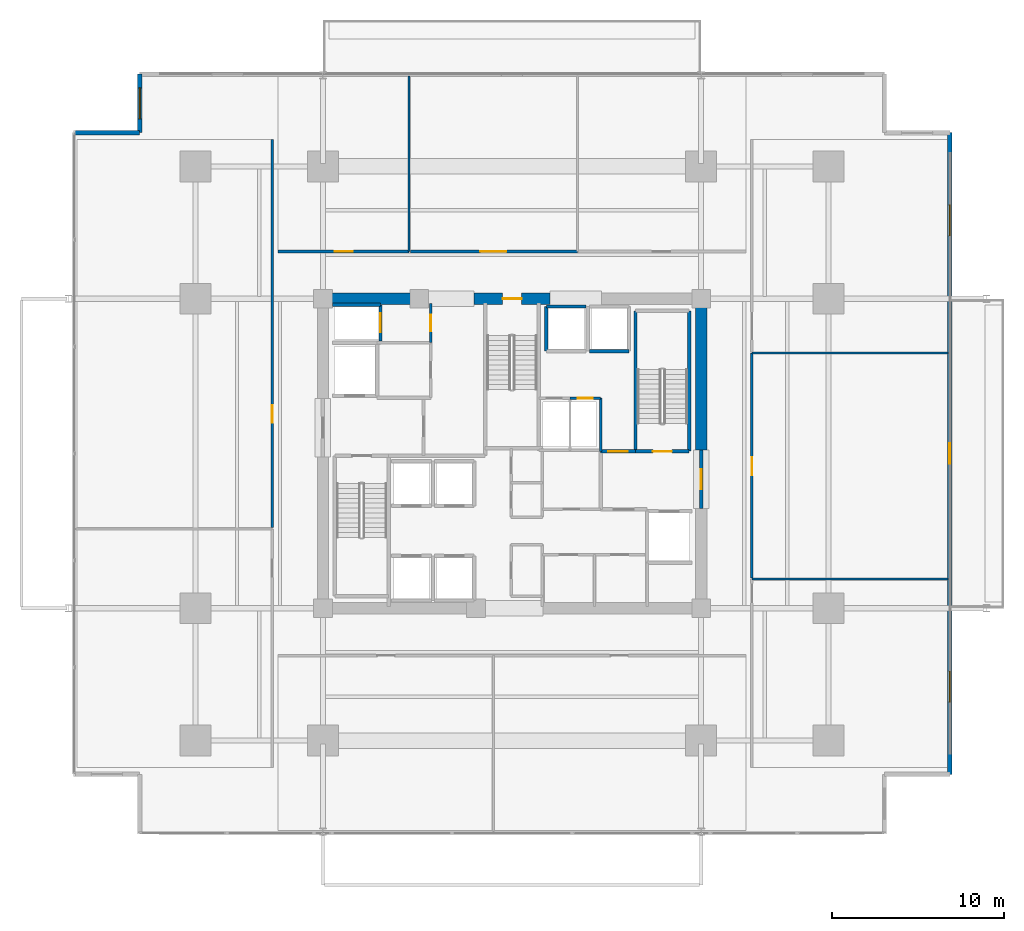
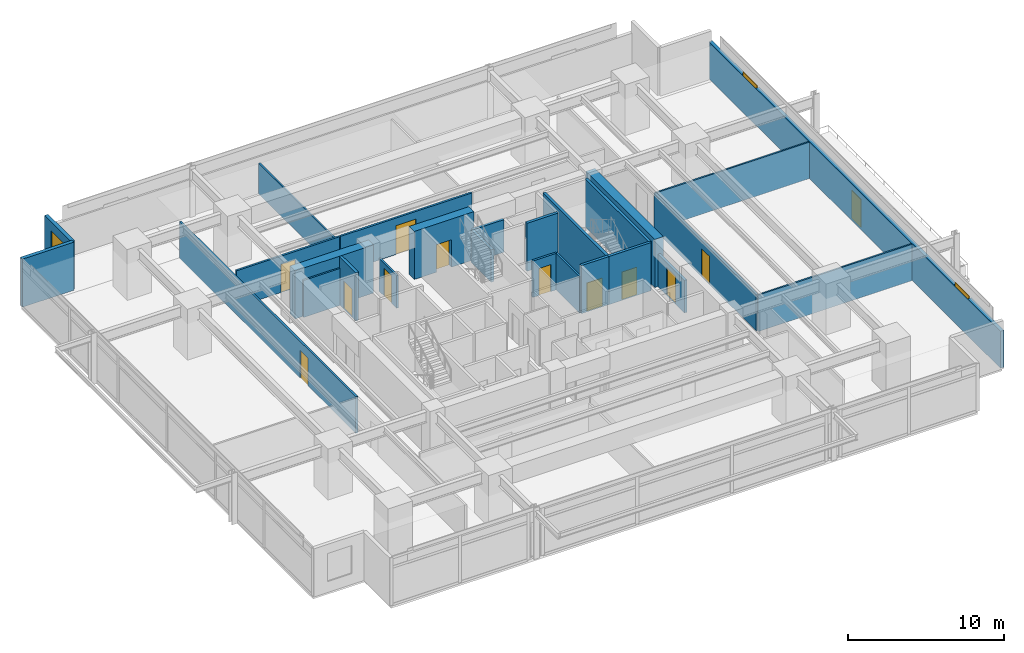
# One storey, part 16 of 21: 26 walls, 12 doors, 3 windows, 15 openings.
"""IFC4 building model written with IfcOpenShell, lengths in metres."""

from ifc_helpers import new_model, si_unit, direction, frame, frame_2d, origin, place, context, subcontext, project, spatial, rectangle, extrude, material, layer, layer_set, type_object, element, fill, save


model = new_model("IFC4")

# Units and contexts
model_context = context("Model", 3, precision=1e-05, world=origin(), true_north=direction((0.0, 1.0)))
body_context = subcontext(model_context, "Body", "Model", "MODEL_VIEW")
ifc_project = project(units=[si_unit("LENGTHUNIT", "METRE"), si_unit("AREAUNIT", "SQUARE_METRE"), si_unit("VOLUMEUNIT", "CUBIC_METRE"), si_unit("PLANEANGLEUNIT", "RADIAN"), si_unit("MASSUNIT", "GRAM", prefix="KILO")], contexts=[model_context])

# Site, building, storey
site_placement = place(None, origin())
site = spatial("IfcSite", under=ifc_project, at=site_placement, CompositionType="ELEMENT")
building_placement = place(site_placement, origin())
building = spatial("IfcBuilding", under=site, at=building_placement, Name="Kovane Verandah Tower", CompositionType="ELEMENT")
storey_placement = place(building_placement, frame((0.0, 0.0, 47.60009765625)))
storey = spatial("IfcBuildingStorey", under=building, at=storey_placement, Name="L10", CompositionType="ELEMENT", Elevation=47.60009765625)

# Wall, opening, door
ifc_material_1 = material(Name="Fire-Rated Gypsum Stud Partition", Category="gypsum")
ifc_layer_1 = layer(ifc_material_1, 0.14990234375)
ifc_layer_set_1 = layer_set([ifc_layer_1], Name="Fire-Rated Gypsum Stud Partition")
wall_type_1 = type_object("IfcWallType", Name="WL-COR-150", PredefinedType="PARTITIONING", material=ifc_layer_set_1)
wall_1_placement = place(storey_placement, frame((35.280029296875, 33.949951171875, 0.0), z_axis=(0.0, 0.0, 1.0), x_axis=(0.0, 1.0, 0.0)))
wall_1 = element("IfcWall", 1, at=wall_1_placement, inside=storey, type_object=wall_type_1, Name="L10 Goods Lift Lobby East Fire Partition", PredefinedType="PARTITIONING", context=body_context, shape_type="SweptSolid", body=[
    extrude(rectangle(XDim=2.27001953125, YDim=0.14990234375, at=frame_2d((1.135009765625, 0.0))), origin(), (0.0, 0.0, 1.0), 2.539794921875),
])
opening_1_placement = place(wall_1_placement, frame((0.659912109375, 0.0, 0.0)))
opening_1 = element("IfcOpeningElement", 2, at=opening_1_placement, cuts=wall_1, Name="Opening DR-L10-008", PredefinedType="OPENING", context=body_context, shape_type="SweptSolid", body=[
    extrude(rectangle(XDim=0.949951171875, YDim=2.14990234375, at=frame_2d((0.47509765625, 1.074951171875))), frame((0.0, 0.074951171875, 0.0), z_axis=(0.0, -1.0, 0.0), x_axis=(1.0, 0.0, 0.0)), (0.0, 0.0, 1.0), 0.14990234375),
])
ifc_material_2 = material(Name="Fire-Rated Steel Refuge and Lobby Door", Category="steel")
door_type_1 = type_object("IfcDoorType", Name="DR-FIRE-950", OperationType="SINGLE_SWING_LEFT", PredefinedType="DOOR", material=ifc_material_2)
door_1_placement = place(opening_1_placement, origin())
door_1 = element("IfcDoor", 3, at=door_1_placement, inside=storey, type_object=door_type_1, Name="L10 Goods Lift Lobby Fire Door", OperationType="SINGLE_SWING_LEFT", OverallHeight=2.14990234375, OverallWidth=0.949951171875, PredefinedType="DOOR", context=body_context, shape_type="SweptSolid", body=[
    extrude(rectangle(XDim=0.949951171875, YDim=2.14990234375, at=frame_2d((0.47509765625, 1.074951171875))), frame((0.0, 0.02490234375, 0.0), z_axis=(0.0, -1.0, 0.0), x_axis=(1.0, 0.0, 0.0)), (0.0, 0.0, 1.0), 0.050048828125),
])
fill(opening_1, door_1)

# Wall
wall_2_placement = place(storey_placement, frame((45.14990234375, 27.6201171875, 0.0), z_axis=(0.0, 0.0, 1.0), x_axis=(0.0, 1.0, 0.0)))
element("IfcWall", 4, at=wall_2_placement, inside=storey, type_object=wall_type_1, Name="L10 East Core Service Riser East Wall", PredefinedType="PARTITIONING", context=body_context, shape_type="SweptSolid", body=[
    extrude(rectangle(XDim=3.099853515625, YDim=0.14990234375, at=frame_2d((1.5498046875, 0.0))), origin(), (0.0, 0.0, 1.0), 2.849853515625),
])

# Wall, opening, door
wall_3_placement = place(storey_placement, frame((43.360107421875, 30.719970703125, 0.0), z_axis=(0.0, 0.0, 1.0), x_axis=(1.0, 0.0, 0.0)))
wall_3 = element("IfcWall", 5, at=wall_3_placement, inside=storey, type_object=wall_type_1, Name="L10 Smoke Extract Duct Room Partition", PredefinedType="PARTITIONING", context=body_context, shape_type="SweptSolid", body=[
    extrude(rectangle(XDim=1.789794921875, YDim=0.14990234375, at=frame_2d((0.89501953125, 0.0))), origin(), (0.0, 0.0, 1.0), 2.849853515625),
])
opening_2_placement = place(wall_3_placement, frame((0.455078125, 0.0, 0.0)))
opening_2 = element("IfcOpeningElement", 6, at=opening_2_placement, cuts=wall_3, Name="Opening DR-L10-019", PredefinedType="OPENING", context=body_context, shape_type="SweptSolid", body=[
    extrude(rectangle(XDim=0.8798828125, YDim=2.10009765625, at=frame_2d((0.43994140625, 1.050048828125))), frame((0.0, 0.074951171875, 0.0), z_axis=(0.0, -1.0, 0.0), x_axis=(1.0, 0.0, 0.0)), (0.0, 0.0, 1.0), 0.14990234375),
])
ifc_material_3 = material(Name="Fire-Rated Steel Riser Access Door", Category="steel")
door_type_2 = type_object("IfcDoorType", Name="DR-RISER-880", OperationType="SINGLE_SWING_LEFT", PredefinedType="DOOR", material=ifc_material_3)
door_2_placement = place(opening_2_placement, origin())
door_2 = element("IfcDoor", 7, at=door_2_placement, inside=storey, type_object=door_type_2, Name="L10 Smoke Extract Duct Room Door", OperationType="SINGLE_SWING_LEFT", OverallHeight=2.10009765625, OverallWidth=0.8798828125, PredefinedType="DOOR", context=body_context, shape_type="SweptSolid", body=[
    extrude(rectangle(XDim=0.8798828125, YDim=2.10009765625, at=frame_2d((0.43994140625, 1.050048828125))), frame((0.0, 0.02490234375, 0.0), z_axis=(0.0, -1.0, 0.0), x_axis=(1.0, 0.0, 0.0)), (0.0, 0.0, 1.0), 0.050048828125),
])
fill(opening_2, door_2)

wall_4_placement = place(storey_placement, frame((26.39990234375, 39.25, 0.0), z_axis=(0.0, 0.0, 1.0), x_axis=(1.0, 0.0, 0.0)))
wall_4 = element("IfcWall", 8, at=wall_4_placement, inside=storey, type_object=wall_type_1, Name="L10 Executive Office N1 Corridor Partition", PredefinedType="PARTITIONING", context=body_context, shape_type="SweptSolid", body=[
    extrude(rectangle(XDim=7.6162109375, YDim=0.14990234375, at=frame_2d((3.80810546875, 0.0))), origin(), (0.0, 0.0, 1.0), 2.849853515625),
])
opening_3_placement = place(wall_4_placement, frame((3.298095703125, 0.0, 0.0)))
opening_3 = element("IfcOpeningElement", 9, at=opening_3_placement, cuts=wall_4, Name="Opening DR-L10-020", PredefinedType="OPENING", context=body_context, shape_type="SweptSolid", body=[
    extrude(rectangle(XDim=1.050048828125, YDim=2.199951171875, at=frame_2d((0.52490234375, 1.10009765625))), frame((0.0, 0.074951171875, 0.0), z_axis=(0.0, -1.0, 0.0), x_axis=(1.0, 0.0, 0.0)), (0.0, 0.0, 1.0), 0.14990234375),
])
ifc_material_4 = material(Name="FSC Blackbutt Timber Fire-Rated Executive Door", Category="wood")
door_type_3 = type_object("IfcDoorType", Name="DR-EXEC-1050", OperationType="SINGLE_SWING_LEFT", PredefinedType="DOOR", material=ifc_material_4)
door_3_placement = place(opening_3_placement, origin())
door_3 = element("IfcDoor", 10, at=door_3_placement, inside=storey, type_object=door_type_3, Name="L10 Executive Office N1 Entrance Door", OperationType="SINGLE_SWING_RIGHT", OverallHeight=2.199951171875, OverallWidth=1.050048828125, PredefinedType="DOOR", context=body_context, shape_type="SweptSolid", body=[
    extrude(rectangle(XDim=1.050048828125, YDim=2.199951171875, at=frame_2d((0.52490234375, 1.10009765625))), frame((0.0, 0.02490234375, 0.0), z_axis=(0.0, -1.0, 0.0), x_axis=(1.0, 0.0, 0.0)), (0.0, 0.0, 1.0), 0.050048828125),
])
fill(opening_3, door_3)

wall_5_placement = place(storey_placement, frame((34.0859375, 39.25, 0.0), z_axis=(0.0, 0.0, 1.0), x_axis=(1.0, 0.0, 0.0)))
wall_5 = element("IfcWall", 11, at=wall_5_placement, inside=storey, type_object=wall_type_1, Name="L10 Client Boardroom N2 Corridor Partition", PredefinedType="PARTITIONING", context=body_context, shape_type="SweptSolid", body=[
    extrude(rectangle(XDim=9.72216796875, YDim=0.14990234375, at=frame_2d((4.861083984375, 0.0))), origin(), (0.0, 0.0, 1.0), 2.849853515625),
])
opening_4_placement = place(wall_5_placement, frame((4.075927734375, 0.0, 0.0)))
opening_4 = element("IfcOpeningElement", 12, at=opening_4_placement, cuts=wall_5, Name="Opening DR-L10-021", PredefinedType="OPENING", context=body_context, shape_type="SweptSolid", body=[
    extrude(rectangle(XDim=1.5, YDim=2.25, at=frame_2d((0.75, 1.125))), frame((0.0, 0.074951171875, 0.0), z_axis=(0.0, -1.0, 0.0), x_axis=(1.0, 0.0, 0.0)), (0.0, 0.0, 1.0), 0.14990234375),
])
ifc_material_5 = material(Name="Glazed Timber Fire-Rated Double Door", Category="wood")
door_type_4 = type_object("IfcDoorType", Name="DR-CONF-1500", OperationType="DOUBLE_DOOR_SINGLE_SWING", PredefinedType="DOOR", material=ifc_material_5)
door_4_placement = place(opening_4_placement, origin())
door_4 = element("IfcDoor", 13, at=door_4_placement, inside=storey, type_object=door_type_4, Name="L10 Client Boardroom N2 Entrance Door", OperationType="DOUBLE_DOOR_SINGLE_SWING", OverallHeight=2.25, OverallWidth=1.5, PredefinedType="DOOR", context=body_context, shape_type="SweptSolid", body=[
    extrude(rectangle(XDim=1.5, YDim=2.25, at=frame_2d((0.75, 1.125))), frame((0.0, 0.02490234375, 0.0), z_axis=(0.0, -1.0, 0.0), x_axis=(1.0, 0.0, 0.0)), (0.0, 0.0, 1.0), 0.050048828125),
])
fill(opening_4, door_4)

wall_6_placement = place(storey_placement, frame((26.050048828125, 23.187255859375, 0.0), z_axis=(0.0, 0.0, 1.0), x_axis=(0.0, 1.0, 0.0)))
wall_6 = element("IfcWall", 14, at=wall_6_placement, inside=storey, type_object=wall_type_1, Name="L10 Document and Print Room W2 Corridor Partition", PredefinedType="PARTITIONING", context=body_context, shape_type="SweptSolid", body=[
    extrude(rectangle(XDim=22.573974609375, YDim=0.14990234375, at=frame_2d((11.287109375, 0.0))), origin(), (0.0, 0.0, 1.0), 2.849853515625),
])
opening_5_placement = place(wall_6_placement, frame((6.106201171875, 0.0, 0.0)))
opening_5 = element("IfcOpeningElement", 15, at=opening_5_placement, cuts=wall_6, Name="Opening DR-L10-030", PredefinedType="OPENING", context=body_context, shape_type="SweptSolid", body=[
    extrude(rectangle(XDim=1.0, YDim=2.14990234375, at=frame_2d((0.5, 1.074951171875))), frame((0.0, 0.074951171875, 0.0), z_axis=(0.0, -1.0, 0.0), x_axis=(1.0, 0.0, 0.0)), (0.0, 0.0, 1.0), 0.14990234375),
])
ifc_material_6 = material(Name="FSC Spotted-Gum Timber Fire-Rated Office Door", Category="wood")
door_type_5 = type_object("IfcDoorType", Name="DR-OFF-1000", OperationType="SINGLE_SWING_LEFT", PredefinedType="DOOR", material=ifc_material_6)
door_5_placement = place(opening_5_placement, origin())
door_5 = element("IfcDoor", 16, at=door_5_placement, inside=storey, type_object=door_type_5, Name="L10 Document and Print Room W2 Entrance Door", OperationType="SINGLE_SWING_RIGHT", OverallHeight=2.14990234375, OverallWidth=1.0, PredefinedType="DOOR", context=body_context, shape_type="SweptSolid", body=[
    extrude(rectangle(XDim=1.0, YDim=2.14990234375, at=frame_2d((0.5, 1.074951171875))), frame((0.0, 0.02490234375, 0.0), z_axis=(0.0, -1.0, 0.0), x_axis=(1.0, 0.0, 0.0)), (0.0, 0.0, 1.0), 0.050048828125),
])
fill(opening_5, door_5)

wall_7_placement = place(storey_placement, frame((53.949951171875, 20.265380859375, 0.0), z_axis=(0.0, 0.0, 1.0), x_axis=(0.0, 1.0, 0.0)))
wall_7 = element("IfcWall", 17, at=wall_7_placement, inside=storey, type_object=wall_type_1, Name="L10 Executive Office E2 Corridor Partition", PredefinedType="PARTITIONING", context=body_context, shape_type="SweptSolid", body=[
    extrude(rectangle(XDim=13.078125, YDim=0.14990234375, at=frame_2d((6.5390625, 0.0))), origin(), (0.0, 0.0, 1.0), 2.849853515625),
])
opening_6_placement = place(wall_7_placement, frame((5.97900390625, 0.0, 0.0)))
opening_6 = element("IfcOpeningElement", 18, at=opening_6_placement, cuts=wall_7, Name="Opening DR-L10-013", PredefinedType="OPENING", context=body_context, shape_type="SweptSolid", body=[
    extrude(rectangle(XDim=1.050048828125, YDim=2.199951171875, at=frame_2d((0.52490234375, 1.10009765625))), frame((0.0, 0.074951171875, 0.0), z_axis=(0.0, -1.0, 0.0), x_axis=(1.0, 0.0, 0.0)), (0.0, 0.0, 1.0), 0.14990234375),
])
door_6_placement = place(opening_6_placement, origin())
door_6 = element("IfcDoor", 19, at=door_6_placement, inside=storey, type_object=door_type_3, Name="L10 Executive Office E2 Entrance Door", OperationType="SINGLE_SWING_RIGHT", OverallHeight=2.199951171875, OverallWidth=1.050048828125, PredefinedType="DOOR", context=body_context, shape_type="SweptSolid", body=[
    extrude(rectangle(XDim=1.050048828125, YDim=2.199951171875, at=frame_2d((0.52490234375, 1.10009765625))), frame((0.0, 0.02490234375, 0.0), z_axis=(0.0, -1.0, 0.0), x_axis=(1.0, 0.0, 0.0)), (0.0, 0.0, 1.0), 0.050048828125),
])
fill(opening_6, door_6)

# Wall
ifc_material_7 = material(Name="Concrete C80/95", Category="concrete")
ifc_layer_2 = layer(ifc_material_7, 0.64990234375)
ifc_layer_set_2 = layer_set([ifc_layer_2], Name="Concrete C80/95")
wall_type_2 = type_object("IfcWallType", Name="WL-CORE-650", PredefinedType="SHEAR", material=ifc_layer_set_2)
wall_8_placement = place(storey_placement, frame((29.0, 36.5, 0.0), z_axis=(0.0, 0.0, 1.0), x_axis=(1.0, 0.0, 0.0)))
element("IfcWall", 20, at=wall_8_placement, inside=storey, type_object=wall_type_2, Name="L10 Core Shear Wall CN-1", PredefinedType="SHEAR", context=body_context, shape_type="SweptSolid", body=[
    extrude(rectangle(XDim=5.800048828125, YDim=0.64990234375, at=frame_2d((2.89990234375, 0.0))), origin(), (0.0, 0.0, 1.0), 3.760009765625),
])

# Wall, opening, door
wall_9_placement = place(storey_placement, frame((37.800048828125, 36.5, 0.0), z_axis=(0.0, 0.0, 1.0), x_axis=(1.0, 0.0, 0.0)))
wall_9 = element("IfcWall", 21, at=wall_9_placement, inside=storey, type_object=wall_type_2, Name="L10 Core Shear Wall CN-2", PredefinedType="SHEAR", context=body_context, shape_type="SweptSolid", body=[
    extrude(rectangle(XDim=4.39990234375, YDim=0.64990234375, at=frame_2d((2.199951171875, 0.0))), origin(), (0.0, 0.0, 1.0), 3.760009765625),
])
opening_7_placement = place(wall_9_placement, frame((1.64990234375, 0.0, 0.0)))
opening_7 = element("IfcOpeningElement", 22, at=opening_7_placement, cuts=wall_9, Name="Opening DR-L10-011", PredefinedType="OPENING", context=body_context, shape_type="SweptSolid", body=[
    extrude(rectangle(XDim=1.10009765625, YDim=2.14990234375, at=frame_2d((0.550048828125, 1.074951171875))), frame((0.0, 0.324951171875, 0.0), z_axis=(0.0, -1.0, 0.0), x_axis=(1.0, 0.0, 0.0)), (0.0, 0.0, 1.0), 0.64990234375),
])
ifc_material_8 = material(Name="Fire-Rated Steel Exit Door", Category="steel")
door_type_6 = type_object("IfcDoorType", Name="DR-STAIR-1100", OperationType="SINGLE_SWING_LEFT", PredefinedType="DOOR", material=ifc_material_8)
door_7_placement = place(opening_7_placement, origin())
door_7 = element("IfcDoor", 23, at=door_7_placement, inside=storey, type_object=door_type_6, Name="L10 ST-03 Fire Exit Stair Door", OperationType="SINGLE_SWING_LEFT", OverallHeight=2.14990234375, OverallWidth=1.10009765625, PredefinedType="DOOR", context=body_context, shape_type="SweptSolid", body=[
    extrude(rectangle(XDim=1.10009765625, YDim=2.14990234375, at=frame_2d((0.550048828125, 1.074951171875))), frame((0.0, 0.02490234375, 0.0), z_axis=(0.0, -1.0, 0.0), x_axis=(1.0, 0.0, 0.0)), (0.0, 0.0, 1.0), 0.050048828125),
])
fill(opening_7, door_7)

# Wall
wall_10_placement = place(storey_placement, frame((51.0, 27.699951171875, 0.0), z_axis=(0.0, 0.0, 1.0), x_axis=(0.0, 1.0, 0.0)))
element("IfcWall", 24, at=wall_10_placement, inside=storey, type_object=wall_type_2, Name="L10 Core Shear Wall CE-2", PredefinedType="SHEAR", context=body_context, shape_type="SweptSolid", body=[
    extrude(rectangle(XDim=8.800048828125, YDim=0.64990234375, at=frame_2d((4.39990234375, 0.0))), origin(), (0.0, 0.0, 1.0), 3.760009765625),
])

# Wall, opening, door
ifc_material_9 = material(Name="Concrete C45/55 Fire Wall", Category="concrete")
ifc_layer_3 = layer(ifc_material_9, 0.199951171875)
ifc_layer_set_3 = layer_set([ifc_layer_3], Name="Concrete C45/55 Fire Wall")
wall_type_3 = type_object("IfcWallType", Name="WL-FFL-200", PredefinedType="PARTITIONING", material=ifc_layer_set_3)
wall_11_placement = place(storey_placement, frame((45.14990234375, 27.6201171875, 0.0), z_axis=(0.0, 0.0, 1.0), x_axis=(1.0, 0.0, 0.0)))
wall_11 = element("IfcWall", 25, at=wall_11_placement, inside=storey, type_object=wall_type_3, Name="W-L10-FFLE-N", PredefinedType="PARTITIONING", context=body_context, shape_type="SweptSolid", body=[
    extrude(rectangle(XDim=2.030029296875, YDim=0.199951171875, at=frame_2d((1.01513671875, 0.0))), origin(), (0.0, 0.0, 1.0), 3.760009765625),
])
opening_8_placement = place(wall_11_placement, frame((0.43994140625, 0.0, 0.0)))
opening_8 = element("IfcOpeningElement", 26, at=opening_8_placement, cuts=wall_11, Name="Opening DR-L10-004", PredefinedType="OPENING", context=body_context, shape_type="SweptSolid", body=[
    extrude(rectangle(XDim=1.14990234375, YDim=2.199951171875, at=frame_2d((0.574951171875, 1.10009765625))), frame((0.0, 0.10009765625, 0.0), z_axis=(0.0, -1.0, 0.0), x_axis=(1.0, 0.0, 0.0)), (0.0, 0.0, 1.0), 0.199951171875),
])
ifc_material_10 = material(Name="Smoke-Sealed Firefighting Lobby Door", Category="steel")
door_type_7 = type_object("IfcDoorType", Name="DR-FFL-1150", OperationType="SINGLE_SWING_LEFT", PredefinedType="DOOR", material=ifc_material_10)
door_8_placement = place(opening_8_placement, origin())
door_8 = element("IfcDoor", 27, at=door_8_placement, inside=storey, type_object=door_type_7, Name="L10 East Firefighting Lobby Shuttle Link Door", OperationType="SINGLE_SWING_LEFT", OverallHeight=2.199951171875, OverallWidth=1.14990234375, PredefinedType="DOOR", context=body_context, shape_type="SweptSolid", body=[
    extrude(rectangle(XDim=1.14990234375, YDim=2.199951171875, at=frame_2d((0.574951171875, 1.10009765625))), frame((0.0, 0.02490234375, 0.0), z_axis=(0.0, -1.0, 0.0), x_axis=(1.0, 0.0, 0.0)), (0.0, 0.0, 1.0), 0.050048828125),
])
fill(opening_8, door_8)

wall_12_placement = place(storey_placement, frame((51.0, 24.300048828125, 0.0), z_axis=(0.0, 0.0, 1.0), x_axis=(0.0, 1.0, 0.0)))
wall_12 = element("IfcWall", 28, at=wall_12_placement, inside=storey, type_object=wall_type_3, Name="W-L10-FFLE-OUT", PredefinedType="PARTITIONING", context=body_context, shape_type="SweptSolid", body=[
    extrude(rectangle(XDim=3.39990234375, YDim=0.199951171875, at=frame_2d((1.699951171875, 0.0))), origin(), (0.0, 0.0, 1.0), 2.539794921875),
])
opening_9_placement = place(wall_12_placement, frame((1.125, 0.0, 0.0)))
opening_9 = element("IfcOpeningElement", 29, at=opening_9_placement, cuts=wall_12, Name="Opening DR-L10-005", PredefinedType="OPENING", context=body_context, shape_type="SweptSolid", body=[
    extrude(rectangle(XDim=1.14990234375, YDim=2.199951171875, at=frame_2d((0.574951171875, 1.10009765625))), frame((0.0, 0.10009765625, 0.0), z_axis=(0.0, -1.0, 0.0), x_axis=(1.0, 0.0, 0.0)), (0.0, 0.0, 1.0), 0.199951171875),
])
door_9_placement = place(opening_9_placement, origin())
door_9 = element("IfcDoor", 30, at=door_9_placement, inside=storey, type_object=door_type_7, Name="L10 East Firefighting Lobby Corridor Door", OperationType="SINGLE_SWING_LEFT", OverallHeight=2.199951171875, OverallWidth=1.14990234375, PredefinedType="DOOR", context=body_context, shape_type="SweptSolid", body=[
    extrude(rectangle(XDim=1.14990234375, YDim=2.199951171875, at=frame_2d((0.574951171875, 1.10009765625))), frame((0.0, 0.02490234375, 0.0), z_axis=(0.0, -1.0, 0.0), x_axis=(1.0, 0.0, 0.0)), (0.0, 0.0, 1.0), 0.050048828125),
])
fill(opening_9, door_9)

# Wall
ifc_material_11 = material(Name="Concrete C45/55 Lift Shaft Wall", Category="concrete")
ifc_layer_4 = layer(ifc_material_11, 0.199951171875)
ifc_layer_set_4 = layer_set([ifc_layer_4], Name="Concrete C45/55 Lift Shaft Wall")
wall_type_4 = type_object("IfcWallType", Name="WL-LIFT-200", PredefinedType="SOLIDWALL", material=ifc_layer_set_4)
wall_13_placement = place(storey_placement, frame((32.35009765625, 36.14990234375, 0.0), z_axis=(0.0, 0.0, 1.0), x_axis=(-1.0, 0.0, 0.0)))
element("IfcWall", 31, at=wall_13_placement, inside=storey, type_object=wall_type_4, Name="L10 Lift GL-01 N Shaft Wall", PredefinedType="SOLIDWALL", context=body_context, shape_type="SweptSolid", body=[
    extrude(rectangle(XDim=2.800048828125, YDim=0.199951171875, at=frame_2d((1.39990234375, 0.0))), origin(), (0.0, 0.0, 1.0), 2.88916015625),
])

# Wall, opening, door
wall_14_placement = place(storey_placement, frame((32.35009765625, 34.050048828125, 0.0), z_axis=(0.0, 0.0, 1.0), x_axis=(0.0, 1.0, 0.0)))
wall_14 = element("IfcWall", 32, at=wall_14_placement, inside=storey, type_object=wall_type_4, Name="L10 Lift GL-01 E Shaft Wall", PredefinedType="SOLIDWALL", context=body_context, shape_type="SweptSolid", body=[
    extrude(rectangle(XDim=2.099853515625, YDim=0.199951171875, at=frame_2d((1.0498046875, 0.0))), origin(), (0.0, 0.0, 1.0), 3.760009765625),
])
opening_10_placement = place(wall_14_placement, frame((0.5, 0.0, 0.0)))
opening_10 = element("IfcOpeningElement", 33, at=opening_10_placement, cuts=wall_14, Name="Opening LD-L10-003", PredefinedType="OPENING", context=body_context, shape_type="SweptSolid", body=[
    extrude(rectangle(XDim=1.10009765625, YDim=2.199951171875, at=frame_2d((0.550048828125, 1.10009765625))), frame((0.0, 0.10009765625, 0.0), z_axis=(0.0, -1.0, 0.0), x_axis=(1.0, 0.0, 0.0)), (0.0, 0.0, 1.0), 0.199951171875),
])
ifc_material_12 = material(Name="Brushed Stainless Steel Sliding Lift Landing Door", Category="steel")
door_type_8 = type_object("IfcDoorType", Name="DR-LIFT-1100", OperationType="SLIDING_TO_RIGHT", PredefinedType="DOOR", material=ifc_material_12)
door_10_placement = place(opening_10_placement, origin())
door_10 = element("IfcDoor", 34, at=door_10_placement, inside=storey, type_object=door_type_8, Name="L10 Lift GL-01 Sliding Landing Door", OperationType="SLIDING_TO_RIGHT", OverallHeight=2.199951171875, OverallWidth=1.10009765625, PredefinedType="DOOR", context=body_context, shape_type="SweptSolid", body=[
    extrude(rectangle(XDim=1.10009765625, YDim=2.199951171875, at=frame_2d((0.550048828125, 1.10009765625))), frame((0.0, 0.02490234375, 0.0), z_axis=(0.0, -1.0, 0.0), x_axis=(1.0, 0.0, 0.0)), (0.0, 0.0, 1.0), 0.050048828125),
])
fill(opening_10, door_10)

# Walls
wall_15_placement = place(storey_placement, frame((44.300048828125, 36.050048828125, 0.0), z_axis=(0.0, 0.0, 1.0), x_axis=(-1.0, 0.0, 0.0)))
element("IfcWall", 35, at=wall_15_placement, inside=storey, type_object=wall_type_4, Name="L10 Lift SL-01 N Shaft Wall", PredefinedType="SOLIDWALL", context=body_context, shape_type="SweptSolid", body=[
    extrude(rectangle(XDim=2.300048828125, YDim=0.199951171875, at=frame_2d((1.14990234375, 0.0))), origin(), (0.0, 0.0, 1.0), 2.539794921875),
])
wall_16_placement = place(storey_placement, frame((42.0, 36.050048828125, 0.0), z_axis=(0.0, 0.0, 1.0), x_axis=(0.0, -1.0, 0.0)))
element("IfcWall", 36, at=wall_16_placement, inside=storey, type_object=wall_type_4, Name="L10 Lift SL-01 W Shaft Wall", PredefinedType="SOLIDWALL", context=body_context, shape_type="SweptSolid", body=[
    extrude(rectangle(XDim=2.60009765625, YDim=0.199951171875, at=frame_2d((1.300048828125, 0.0))), origin(), (0.0, 0.0, 1.0), 2.539794921875),
])
wall_17_placement = place(storey_placement, frame((44.5, 33.449951171875, 0.0), z_axis=(0.0, 0.0, 1.0), x_axis=(1.0, 0.0, 0.0)))
element("IfcWall", 37, at=wall_17_placement, inside=storey, type_object=wall_type_4, Name="L10 Lift OL-01 S Shaft Wall", PredefinedType="SOLIDWALL", context=body_context, shape_type="SweptSolid", body=[
    extrude(rectangle(XDim=2.300048828125, YDim=0.199951171875, at=frame_2d((1.14990234375, 0.0))), origin(), (0.0, 0.0, 1.0), 3.760009765625),
])
ifc_material_13 = material(Name="Acoustic Fire-Rated Gypsum Partition", Category="gypsum")
ifc_layer_5 = layer(ifc_material_13, 0.1201171875)
ifc_layer_set_5 = layer_set([ifc_layer_5], Name="Acoustic Fire-Rated Gypsum Partition")
wall_type_5 = type_object("IfcWallType", Name="WL-PART-120", PredefinedType="PARTITIONING", material=ifc_layer_set_5)
wall_18_placement = place(storey_placement, frame((34.01611328125, 39.25, 0.0), z_axis=(0.0, 0.0, 1.0), x_axis=(0.0, 1.0, 0.0)))
element("IfcWall", 38, at=wall_18_placement, inside=storey, type_object=wall_type_5, Name="L10 Executive Office N1 Dividing Partition", PredefinedType="PARTITIONING", context=body_context, shape_type="SweptSolid", body=[
    extrude(rectangle(XDim=10.211181640625, YDim=0.1201171875, at=frame_2d((5.10546875, 0.0))), origin(), (0.0, 0.0, 1.0), 2.389892578125),
])
for number, where, z_axis, x_axis, name in (
    (39, (53.949951171875, 20.195556640625, 0.0), (0.0, 0.0, 1.0), (1.0, 0.0, 0.0), "L10 Open Plan Office E1 Dividing Partition"),
    (40, (53.949951171875, 33.343505859375, 0.0), (0.0, 0.0, 1.0), (1.0, 0.0, 0.0), "L10 Executive Office E2 Dividing Partition"),
):
    element("IfcWall", number, at=place(storey_placement, frame(where, z_axis=z_axis, x_axis=x_axis)), inside=storey, type_object=wall_type_5, Name=name, PredefinedType="PARTITIONING", context=body_context, shape_type="SweptSolid", body=[
        extrude(rectangle(XDim=11.408935546875, YDim=0.1201171875, at=frame_2d((5.70458984375, 0.0))), origin(), (0.0, 0.0, 1.0), 2.849853515625),
    ])
ifc_material_14 = material(Name="Concrete C45/55", Category="concrete")
ifc_layer_6 = layer(ifc_material_14, 0.199951171875)
ifc_layer_set_6 = layer_set([ifc_layer_6], Name="Concrete C45/55")
wall_type_6 = type_object("IfcWallType", Name="WL-SHAFT-200", PredefinedType="SOLIDWALL", material=ifc_layer_set_6)
wall_19_placement = place(storey_placement, frame((50.300048828125, 27.64990234375, 0.0), z_axis=(0.0, 0.0, 1.0), x_axis=(0.0, 1.0, 0.0)))
element("IfcWall", 41, at=wall_19_placement, inside=storey, type_object=wall_type_6, Name="W-L10-ST02-E", PredefinedType="SOLIDWALL", context=body_context, shape_type="SweptSolid", body=[
    extrude(rectangle(XDim=8.150146484375, YDim=0.199951171875, at=frame_2d((4.0751953125, 0.0))), origin(), (0.0, 0.0, 1.0), 3.760009765625),
])
wall_20_placement = place(storey_placement, frame((47.179931640625, 27.6201171875, 0.0), z_axis=(0.0, 0.0, 1.0), x_axis=(0.0, 1.0, 0.0)))
element("IfcWall", 42, at=wall_20_placement, inside=storey, type_object=wall_type_6, Name="W-L10-ST02-W", PredefinedType="SOLIDWALL", context=body_context, shape_type="SweptSolid", body=[
    extrude(rectangle(XDim=8.179931640625, YDim=0.199951171875, at=frame_2d((4.08984375, 0.0))), origin(), (0.0, 0.0, 1.0), 3.760009765625),
])

# Wall, opening, door
wall_21_placement = place(storey_placement, frame((47.179931640625, 27.6201171875, 0.0), z_axis=(0.0, 0.0, 1.0), x_axis=(1.0, 0.0, 0.0)))
wall_21 = element("IfcWall", 43, at=wall_21_placement, inside=storey, type_object=wall_type_6, Name="W-L10-ST02-S", PredefinedType="SOLIDWALL", context=body_context, shape_type="SweptSolid", body=[
    extrude(rectangle(XDim=3.1201171875, YDim=0.199951171875, at=frame_2d((1.56005859375, 0.0))), origin(), (0.0, 0.0, 1.0), 3.760009765625),
])
opening_11_placement = place(wall_21_placement, frame((1.010009765625, 0.0, 0.0)))
opening_11 = element("IfcOpeningElement", 44, at=opening_11_placement, cuts=wall_21, Name="Opening DR-L10-010", PredefinedType="OPENING", context=body_context, shape_type="SweptSolid", body=[
    extrude(rectangle(XDim=1.10009765625, YDim=2.14990234375, at=frame_2d((0.550048828125, 1.074951171875))), frame((0.0, 0.10009765625, 0.0), z_axis=(0.0, -1.0, 0.0), x_axis=(1.0, 0.0, 0.0)), (0.0, 0.0, 1.0), 0.199951171875),
])
door_11_placement = place(opening_11_placement, origin())
door_11 = element("IfcDoor", 45, at=door_11_placement, inside=storey, type_object=door_type_6, Name="L10 ST-02 Fire Exit Stair Door", OperationType="SINGLE_SWING_RIGHT", OverallHeight=2.14990234375, OverallWidth=1.10009765625, PredefinedType="DOOR", context=body_context, shape_type="SweptSolid", body=[
    extrude(rectangle(XDim=1.10009765625, YDim=2.14990234375, at=frame_2d((0.550048828125, 1.074951171875))), frame((0.0, 0.02490234375, 0.0), z_axis=(0.0, -1.0, 0.0), x_axis=(1.0, 0.0, 0.0)), (0.0, 0.0, 1.0), 0.050048828125),
])
fill(opening_11, door_11)

# Wall, openings, door, windows
ifc_material_15 = material(Name="Concrete C45/55 Insulated Spandrel Wall", Category="concrete")
ifc_layer_7 = layer(ifc_material_15, 0.260009765625)
ifc_layer_set_7 = layer_set([ifc_layer_7], Name="Concrete C45/55 Insulated Spandrel Wall")
wall_type_7 = type_object("IfcWallType", Name="WL-SPANDREL-260", PredefinedType="PARAPET", material=ifc_layer_set_7)
wall_22_placement = place(storey_placement, frame((65.458984375, 8.838623046875, 0.0), z_axis=(0.0, 0.0, 1.0), x_axis=(0.0, 1.0, 0.0)))
wall_22 = element("IfcWall", 46, at=wall_22_placement, inside=storey, type_object=wall_type_7, Name="L10 E Verandah Access Facade Wall", PredefinedType="PARAPET", context=body_context, shape_type="SweptSolid", body=[
    extrude(rectangle(XDim=37.32275390625, YDim=0.260009765625, at=frame_2d((18.661376953125, 0.0))), origin(), (0.0, 0.0, 1.0), 2.88916015625),
])
opening_12_placement = place(wall_22_placement, frame((4.199951171875, 0.0, 0.85009765625)))
opening_12 = element("IfcOpeningElement", 47, at=opening_12_placement, cuts=wall_22, Name="Opening W-03", PredefinedType="OPENING", context=body_context, shape_type="SweptSolid", body=[
    extrude(rectangle(XDim=1.800048828125, YDim=2.199951171875, at=frame_2d((0.89990234375, 1.10009765625))), frame((0.0, 0.1298828125, 0.0), z_axis=(0.0, -1.0, 0.0), x_axis=(1.0, 0.0, 0.0)), (0.0, 0.0, 1.0), 0.260009765625),
])
opening_13_placement = place(wall_22_placement, frame((18.061279296875, 0.0, 0.0)))
opening_13 = element("IfcOpeningElement", 48, at=opening_13_placement, cuts=wall_22, Name="Opening DR-L10-001", PredefinedType="OPENING", context=body_context, shape_type="SweptSolid", body=[
    extrude(rectangle(XDim=1.199951171875, YDim=2.199951171875, at=frame_2d((0.60009765625, 1.10009765625))), frame((0.0, 0.1298828125, 0.0), z_axis=(0.0, -1.0, 0.0), x_axis=(1.0, 0.0, 0.0)), (0.0, 0.0, 1.0), 0.260009765625),
])
opening_14_placement = place(wall_22_placement, frame((31.322509765625, 0.0, 0.85009765625)))
opening_14 = element("IfcOpeningElement", 49, at=opening_14_placement, cuts=wall_22, Name="Opening W-03", PredefinedType="OPENING", context=body_context, shape_type="SweptSolid", body=[
    extrude(rectangle(XDim=1.800048828125, YDim=2.199951171875, at=frame_2d((0.89990234375, 1.10009765625))), frame((0.0, 0.1298828125, 0.0), z_axis=(0.0, -1.0, 0.0), x_axis=(1.0, 0.0, 0.0)), (0.0, 0.0, 1.0), 0.260009765625),
])
ifc_material_16 = material(Name="Cyclone-Rated Glazed Balcony Leaf Door", Category="aluminium")
door_type_9 = type_object("IfcDoorType", Name="DR-BAL-1200x2200", OperationType="SINGLE_SWING_LEFT", PredefinedType="DOOR", material=ifc_material_16)
door_12_placement = place(opening_13_placement, origin())
door_12 = element("IfcDoor", 50, at=door_12_placement, inside=storey, type_object=door_type_9, Name="L10 E Planted Balcony Access Door", OperationType="SINGLE_SWING_LEFT", OverallHeight=2.199951171875, OverallWidth=1.199951171875, PredefinedType="DOOR", context=body_context, shape_type="SweptSolid", body=[
    extrude(rectangle(XDim=1.199951171875, YDim=2.199951171875, at=frame_2d((0.60009765625, 1.10009765625))), frame((0.0, 0.02490234375, 0.0), z_axis=(0.0, -1.0, 0.0), x_axis=(1.0, 0.0, 0.0)), (0.0, 0.0, 1.0), 0.050048828125),
])
fill(opening_13, door_12)
ifc_material_17 = material(Name="Clear Low-E Laminated Double Glazing in Anodised Frame", Category="glass")
window_type = type_object("IfcWindowType", Name="WN-NOTCH-1800x2200", PartitioningType="SINGLE_PANEL", PredefinedType="WINDOW", material=ifc_material_17)
window_1_placement = place(opening_12_placement, origin())
window_1 = element("IfcWindow", 51, at=window_1_placement, inside=storey, type_object=window_type, Name="L10 E Verandah View Window 1", OverallHeight=2.199951171875, OverallWidth=1.800048828125, PartitioningType="SINGLE_PANEL", PredefinedType="WINDOW", context=body_context, shape_type="SweptSolid", body=[
    extrude(rectangle(XDim=1.800048828125, YDim=2.199951171875, at=frame_2d((0.89990234375, 1.10009765625))), frame((0.0, 0.030029296875, 0.0), z_axis=(0.0, -1.0, 0.0), x_axis=(1.0, 0.0, 0.0)), (0.0, 0.0, 1.0), 0.06005859375),
])
fill(opening_12, window_1)
window_2_placement = place(opening_14_placement, origin())
window_2 = element("IfcWindow", 52, at=window_2_placement, inside=storey, type_object=window_type, Name="L10 E Verandah View Window 2", OverallHeight=2.199951171875, OverallWidth=1.800048828125, PartitioningType="SINGLE_PANEL", PredefinedType="WINDOW", context=body_context, shape_type="SweptSolid", body=[
    extrude(rectangle(XDim=1.800048828125, YDim=2.199951171875, at=frame_2d((0.89990234375, 1.10009765625))), frame((0.0, 0.030029296875, 0.0), z_axis=(0.0, -1.0, 0.0), x_axis=(1.0, 0.0, 0.0)), (0.0, 0.0, 1.0), 0.06005859375),
])
fill(opening_14, window_2)

# Wall, opening, window
wall_23_placement = place(storey_placement, frame((18.341064453125, 49.561279296875, 0.0), z_axis=(0.0, 0.0, 1.0), x_axis=(0.0, -1.0, 0.0)))
wall_23 = element("IfcWall", 53, at=wall_23_placement, inside=storey, type_object=wall_type_7, Name="L10 NW Notch Cheek Wall 1", PredefinedType="PARAPET", context=body_context, shape_type="SweptSolid", body=[
    extrude(rectangle(XDim=3.39990234375, YDim=0.260009765625, at=frame_2d((1.699951171875, 0.0))), origin(), (0.0, 0.0, 1.0), 3.760009765625),
])
opening_15_placement = place(wall_23_placement, frame((0.800048828125, 0.0, 0.85009765625)))
opening_15 = element("IfcOpeningElement", 54, at=opening_15_placement, cuts=wall_23, Name="Opening W-03", PredefinedType="OPENING", context=body_context, shape_type="SweptSolid", body=[
    extrude(rectangle(XDim=1.800048828125, YDim=2.199951171875, at=frame_2d((0.89990234375, 1.10009765625))), frame((0.0, 0.1298828125, 0.0), z_axis=(0.0, -1.0, 0.0), x_axis=(1.0, 0.0, 0.0)), (0.0, 0.0, 1.0), 0.260009765625),
])
window_3_placement = place(opening_15_placement, origin())
window_3 = element("IfcWindow", 55, at=window_3_placement, inside=storey, type_object=window_type, Name="L10 NW Re-Entrant Corner Operable Window", OverallHeight=2.199951171875, OverallWidth=1.800048828125, PartitioningType="SINGLE_PANEL", PredefinedType="WINDOW", context=body_context, shape_type="SweptSolid", body=[
    extrude(rectangle(XDim=1.800048828125, YDim=2.199951171875, at=frame_2d((0.89990234375, 1.10009765625))), frame((0.0, 0.030029296875, 0.0), z_axis=(0.0, -1.0, 0.0), x_axis=(1.0, 0.0, 0.0)), (0.0, 0.0, 1.0), 0.06005859375),
])
fill(opening_15, window_3)

# Wall
wall_24_placement = place(storey_placement, frame((18.341064453125, 46.161376953125, 0.0), z_axis=(0.0, 0.0, 1.0), x_axis=(-1.0, 0.0, 0.0)))
element("IfcWall", 56, at=wall_24_placement, inside=storey, type_object=wall_type_7, Name="L10 NW Notch Cheek Wall 2", PredefinedType="PARAPET", context=body_context, shape_type="SweptSolid", body=[
    extrude(rectangle(XDim=3.800048828125, YDim=0.260009765625, at=frame_2d((1.89990234375, 0.0))), origin(), (0.0, 0.0, 1.0), 3.760009765625),
])

save(model, "model.ifc")
